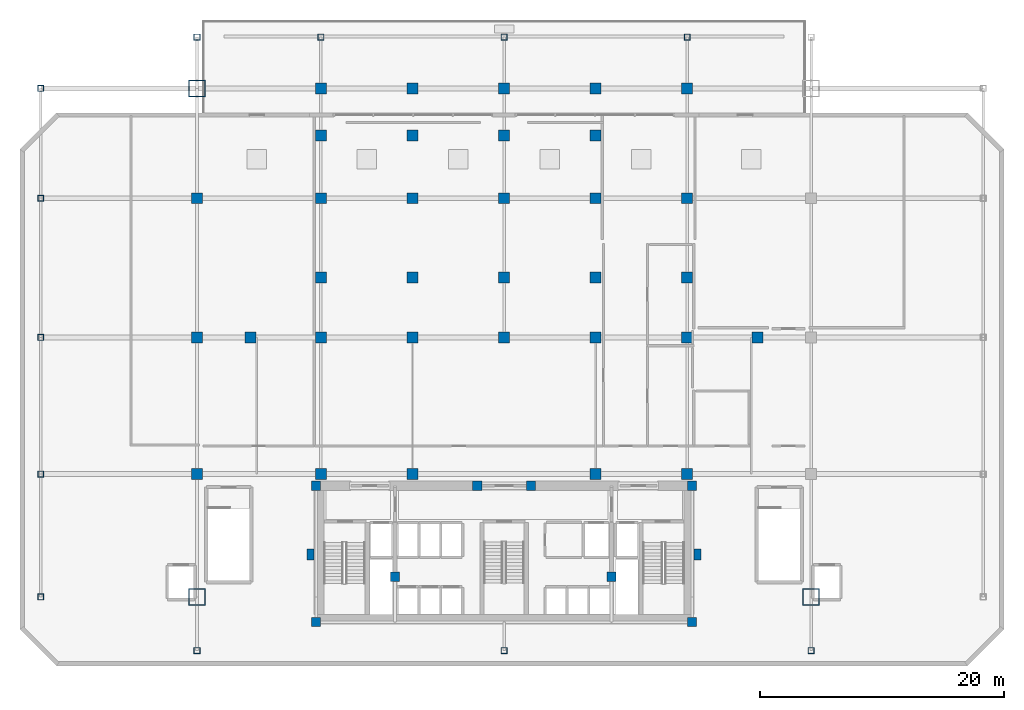
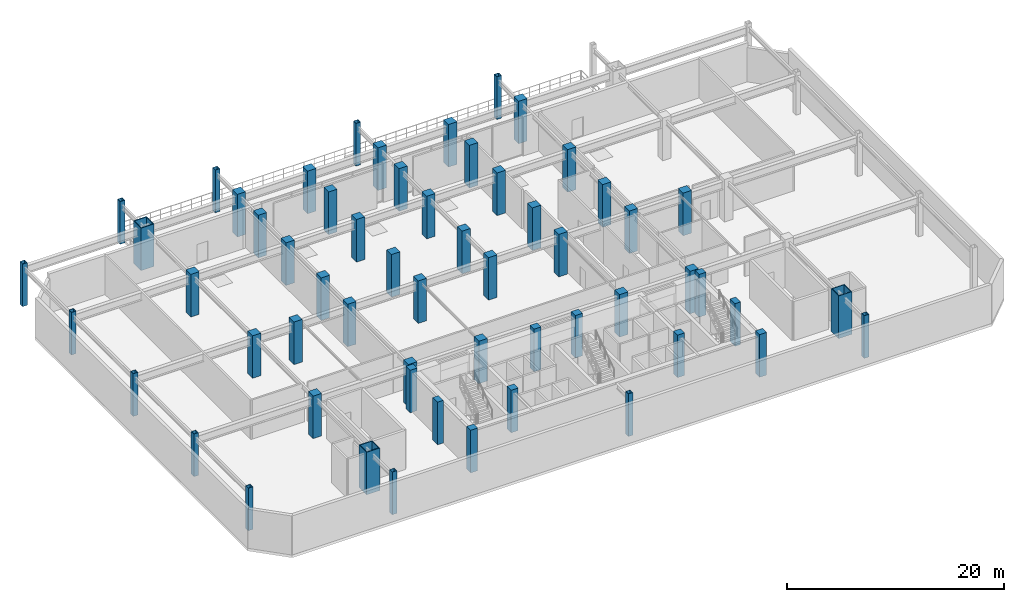
# One storey, part 1 of 15: 58 columns.
"""IFC4 building model written with IfcOpenShell, lengths in metres."""

from ifc_helpers import new_model, si_unit, direction, frame, origin, origin_2d, place, context, subcontext, project, spatial, rectangle, hollow_rectangle, extrude, material, material_profile, profile_set, type_object, element, save


model = new_model("IFC4")

# Units and contexts
model_context = context("Model", 3, precision=1e-05, world=origin(), true_north=direction((0.0, 1.0)))
body_context = subcontext(model_context, "Body", "Model", "MODEL_VIEW")
ifc_project = project(units=[si_unit("LENGTHUNIT", "METRE"), si_unit("AREAUNIT", "SQUARE_METRE"), si_unit("VOLUMEUNIT", "CUBIC_METRE"), si_unit("PLANEANGLEUNIT", "RADIAN"), si_unit("MASSUNIT", "GRAM", prefix="KILO")], contexts=[model_context])

# Site, building, storey
site_placement = place(None, origin())
site = spatial("IfcSite", under=ifc_project, at=site_placement, CompositionType="ELEMENT")
building_placement = place(site_placement, origin())
building = spatial("IfcBuilding", under=site, at=building_placement, Name="Ventersveld Concourse Tower", CompositionType="ELEMENT")
storey_placement = place(building_placement, frame((0.0, 0.0, 19.800048828125)))
storey = spatial("IfcBuildingStorey", under=building, at=storey_placement, Name="L04", CompositionType="ELEMENT", Elevation=19.800048828125)

# Columns
ifc_material_1 = material(Name="Structural steel S355ML", Category="steel")
ifc_material_profile_1 = material_profile(ifc_material_1, hollow_rectangle(XDim=0.5, YDim=0.5, WallThickness=0.031982421875, at=origin_2d()), Name="BOX 500x500x32")
ifc_profile_set_1 = profile_set([ifc_material_profile_1], Name="Structural steel S355ML")
column_type_1 = type_object("IfcColumnType", Name="COL-BOX500", PredefinedType="COLUMN", material=ifc_profile_set_1)
for number, where, z_axis, x_axis, name in (
    (1, (-9.199951171875, 2.35009765625, 0.0), (0.0, 0.0, 1.0), (1.0, 0.0, 0.0), "L04 Podium Perimeter Column 01"),
    (2, (-9.199951171875, 12.39990234375, 0.0), (0.0, 0.0, 1.0), (1.0, 0.0, 0.0), "L04 Podium Perimeter Column 02"),
    (3, (-9.199951171875, 23.60009765625, 0.0), (0.0, 0.0, 1.0), (1.0, 0.0, 0.0), "L04 Podium Perimeter Column 03"),
    (4, (-9.199951171875, 35.0, 0.0), (0.0, 0.0, 1.0), (1.0, 0.0, 0.0), "L04 Podium Perimeter Column 04"),
    (5, (-9.199951171875, 44.0, 0.0), (0.0, 0.0, 1.0), (1.0, 0.0, 0.0), "L04 Podium Perimeter Column 05"),
    (6, (3.60009765625, 48.199951171875, 0.0), (0.0, 0.0, 1.0), (1.0, 0.0, 0.0), "L04 Podium Perimeter Column 11"),
    (7, (13.75, 48.199951171875, 0.0), (0.0, 0.0, 1.0), (1.0, 0.0, 0.0), "L04 Podium Perimeter Column 12"),
    (8, (28.75, 48.199951171875, 0.0), (0.0, 0.0, 1.0), (1.0, 0.0, 0.0), "L04 Podium Perimeter Column 13"),
    (9, (43.75, 48.199951171875, 0.0), (0.0, 0.0, 1.0), (1.0, 0.0, 0.0), "L04 Podium Perimeter Column 14"),
    (10, (3.60009765625, -2.050048828125, 0.0), (0.0, 0.0, 1.0), (1.0, 0.0, 0.0), "L04 Podium Perimeter Column 16"),
    (11, (28.75, -2.050048828125, 0.0), (0.0, 0.0, 1.0), (1.0, 0.0, 0.0), "L04 Podium Perimeter Column 17"),
    (12, (53.89990234375, -2.050048828125, 0.0), (0.0, 0.0, 1.0), (1.0, 0.0, 0.0), "L04 Podium Perimeter Column 18"),
):
    element("IfcColumn", number, at=place(storey_placement, frame(where, z_axis=z_axis, x_axis=x_axis)), inside=storey, type_object=column_type_1, Name=name, PredefinedType="COLUMN", context=body_context, shape_type="SweptSolid", body=[
        extrude(hollow_rectangle(XDim=0.5, YDim=0.5, WallThickness=0.031982421875, at=origin_2d()), origin(), (0.0, 0.0, 1.0), 4.800048828125),
    ])
ifc_material_2 = material(Name="Concrete C50/60", Category="concrete")
ifc_material_profile_2 = material_profile(ifc_material_2, rectangle(XDim=0.75, YDim=0.75, at=origin_2d()), Name="RC 750x750")
ifc_profile_set_2 = profile_set([ifc_material_profile_2], Name="Concrete C50/60")
column_type_2 = type_object("IfcColumnType", Name="COL-RC750", PredefinedType="COLUMN", material=ifc_profile_set_2)
for number, where, z_axis, x_axis, name in (
    (13, (13.35009765625, 0.280029296875, 0.0), (0.0, 0.0, 1.0), (1.0, 0.0, 0.0), "L04 Core Spine Column CC-SW"),
    (14, (44.14990234375, 0.280029296875, 0.0), (0.0, 0.0, 1.0), (1.0, 0.0, 0.0), "L04 Core Spine Column CC-SE"),
    (15, (13.35009765625, 11.449951171875, 0.0), (0.0, 0.0, 1.0), (1.0, 0.0, 0.0), "L04 Core Spine Column CC-NW"),
    (16, (44.14990234375, 11.449951171875, 0.0), (0.0, 0.0, 1.0), (1.0, 0.0, 0.0), "L04 Core Spine Column CC-NE"),
    (17, (19.820068359375, 4.0, 0.0), (0.0, 0.0, 1.0), (1.0, 0.0, 0.0), "L04 Core Spine Column CM-1"),
    (18, (37.550048828125, 4.0, 0.0), (0.0, 0.0, 1.0), (1.0, 0.0, 0.0), "L04 Core Spine Column CM-2"),
    (19, (26.550048828125, 11.449951171875, 0.0), (0.0, 0.0, 1.0), (1.0, 0.0, 0.0), "L04 Core Spine Column CM-3"),
    (20, (30.949951171875, 11.449951171875, 0.0), (0.0, 0.0, 1.0), (1.0, 0.0, 0.0), "L04 Core Spine Column CM-4"),
):
    element("IfcColumn", number, at=place(storey_placement, frame(where, z_axis=z_axis, x_axis=x_axis)), inside=storey, type_object=column_type_2, Name=name, PredefinedType="COLUMN", context=body_context, shape_type="SweptSolid", body=[
        extrude(rectangle(XDim=0.75, YDim=0.75, at=origin_2d()), origin(), (0.0, 0.0, 1.0), 4.800048828125),
    ])
ifc_material_3 = material(Name="Concrete C60/75", Category="concrete")
ifc_material_profile_3 = material_profile(ifc_material_3, rectangle(XDim=0.89990234375, YDim=0.89990234375, at=origin_2d()), Name="RC 900x900")
ifc_profile_set_3 = profile_set([ifc_material_profile_3], Name="Concrete C60/75")
column_type_3 = type_object("IfcColumnType", Name="COL-RC900", PredefinedType="COLUMN", material=ifc_profile_set_3)
for number, where, z_axis, x_axis, name in (
    (21, (3.60009765625, 12.39990234375, 0.0), (0.0, 0.0, 1.0), (1.0, 0.0, 0.0), "L04 Station Grid Column G1B-C"),
    (22, (3.60009765625, 23.60009765625, 0.0), (0.0, 0.0, 1.0), (1.0, 0.0, 0.0), "L04 Station Grid Column G1B-D"),
    (23, (3.60009765625, 35.0, 0.0), (0.0, 0.0, 1.0), (1.0, 0.0, 0.0), "L04 Station Grid Column G1B-E"),
    (24, (13.75, 12.39990234375, 0.0), (0.0, 0.0, 1.0), (1.0, 0.0, 0.0), "L04 Station Grid Column G3-C"),
    (25, (13.75, 23.60009765625, 0.0), (0.0, 0.0, 1.0), (1.0, 0.0, 0.0), "L04 Station Grid Column G3-D"),
    (26, (13.75, 35.0, 0.0), (0.0, 0.0, 1.0), (1.0, 0.0, 0.0), "L04 Station Grid Column G3-E"),
    (27, (13.75, 44.0, 0.0), (0.0, 0.0, 1.0), (1.0, 0.0, 0.0), "L04 Station Grid Column G3-F"),
    (28, (28.75, 23.60009765625, 0.0), (0.0, 0.0, 1.0), (1.0, 0.0, 0.0), "L04 Station Grid Column G5-D"),
    (29, (28.75, 35.0, 0.0), (0.0, 0.0, 1.0), (1.0, 0.0, 0.0), "L04 Station Grid Column G5-E"),
    (30, (28.75, 44.0, 0.0), (0.0, 0.0, 1.0), (1.0, 0.0, 0.0), "L04 Station Grid Column G5-F"),
    (31, (43.75, 12.39990234375, 0.0), (0.0, 0.0, 1.0), (1.0, 0.0, 0.0), "L04 Station Grid Column G7-C"),
    (32, (43.75, 23.60009765625, 0.0), (0.0, 0.0, 1.0), (1.0, 0.0, 0.0), "L04 Station Grid Column G7-D"),
    (33, (43.75, 35.0, 0.0), (0.0, 0.0, 1.0), (1.0, 0.0, 0.0), "L04 Station Grid Column G7-E"),
    (34, (43.75, 44.0, 0.0), (0.0, 0.0, 1.0), (1.0, 0.0, 0.0), "L04 Station Grid Column G7-F"),
    (35, (21.25, 12.39990234375, 0.0), (0.0, 0.0, 1.0), (1.0, 0.0, 0.0), "L04 Station Tower-Line Column G4C"),
    (36, (36.25, 12.39990234375, 0.0), (0.0, 0.0, 1.0), (1.0, 0.0, 0.0), "L04 Station Tower-Line Column G6C"),
    (37, (8.0, 23.60009765625, 0.0), (0.0, 0.0, 1.0), (1.0, 0.0, 0.0), "L04 Station Tower-Line Column G2D"),
    (38, (21.25, 23.60009765625, 0.0), (0.0, 0.0, 1.0), (1.0, 0.0, 0.0), "L04 Station Tower-Line Column G4D"),
    (39, (36.25, 23.60009765625, 0.0), (0.0, 0.0, 1.0), (1.0, 0.0, 0.0), "L04 Station Tower-Line Column G6D"),
    (40, (49.5, 23.60009765625, 0.0), (0.0, 0.0, 1.0), (1.0, 0.0, 0.0), "L04 Station Tower-Line Column G8AD"),
    (41, (13.75, 28.5, 0.0), (0.0, 0.0, 1.0), (1.0, 0.0, 0.0), "L04 Station Tower-Line Column G3DN"),
    (42, (21.25, 28.5, 0.0), (0.0, 0.0, 1.0), (1.0, 0.0, 0.0), "L04 Station Tower-Line Column G4DN"),
    (43, (28.75, 28.5, 0.0), (0.0, 0.0, 1.0), (1.0, 0.0, 0.0), "L04 Station Tower-Line Column G5DN"),
    (44, (36.25, 28.5, 0.0), (0.0, 0.0, 1.0), (1.0, 0.0, 0.0), "L04 Station Tower-Line Column G6DN"),
    (45, (43.75, 28.5, 0.0), (0.0, 0.0, 1.0), (1.0, 0.0, 0.0), "L04 Station Tower-Line Column G7DN"),
    (46, (21.25, 35.0, 0.0), (0.0, 0.0, 1.0), (1.0, 0.0, 0.0), "L04 Station Tower-Line Column G4E"),
    (47, (36.25, 35.0, 0.0), (0.0, 0.0, 1.0), (1.0, 0.0, 0.0), "L04 Station Tower-Line Column G6E"),
    (48, (13.75, 40.1201171875, 0.0), (0.0, 0.0, 1.0), (1.0, 0.0, 0.0), "L04 Station Tower-Line Column G3EM"),
    (49, (21.25, 40.1201171875, 0.0), (0.0, 0.0, 1.0), (1.0, 0.0, 0.0), "L04 Station Tower-Line Column G4EM"),
    (50, (28.75, 40.1201171875, 0.0), (0.0, 0.0, 1.0), (1.0, 0.0, 0.0), "L04 Station Tower-Line Column G5EM"),
    (51, (36.25, 40.1201171875, 0.0), (0.0, 0.0, 1.0), (1.0, 0.0, 0.0), "L04 Station Tower-Line Column G6EM"),
    (52, (21.25, 44.0, 0.0), (0.0, 0.0, 1.0), (1.0, 0.0, 0.0), "L04 Station Tower-Line Column G4F"),
    (53, (36.25, 44.0, 0.0), (0.0, 0.0, 1.0), (1.0, 0.0, 0.0), "L04 Station Tower-Line Column G6F"),
):
    element("IfcColumn", number, at=place(storey_placement, frame(where, z_axis=z_axis, x_axis=x_axis)), inside=storey, type_object=column_type_3, Name=name, PredefinedType="COLUMN", context=body_context, shape_type="SweptSolid", body=[
        extrude(rectangle(XDim=0.89990234375, YDim=0.89990234375, at=origin_2d()), origin(), (0.0, 0.0, 1.0), 4.800048828125),
    ])
ifc_material_4 = material(Name="Structural steel S460ML", Category="steel")
ifc_material_profile_4 = material_profile(ifc_material_4, hollow_rectangle(XDim=1.39990234375, YDim=1.39990234375, WallThickness=0.080078125, at=origin_2d()), Name="BOX 1400x1400x80")
ifc_profile_set_4 = profile_set([ifc_material_profile_4], Name="Structural steel S460ML")
column_type_4 = type_object("IfcColumnType", Name="MC-1400", PredefinedType="USERDEFINED", material=ifc_profile_set_4)
for number, where, z_axis, x_axis, name in (
    (54, (3.60009765625, 2.35009765625, 0.0), (0.0, 0.0, 1.0), (1.0, 0.0, 0.0), "L04 Corner Mega-Column MC-SW"),
    (55, (53.89990234375, 2.35009765625, 0.0), (0.0, 0.0, 1.0), (1.0, 0.0, 0.0), "L04 Corner Mega-Column MC-SE"),
    (56, (3.60009765625, 44.0, 0.0), (0.0, 0.0, 1.0), (1.0, 0.0, 0.0), "L04 Corner Mega-Column MC-NW"),
):
    element("IfcColumn", number, at=place(storey_placement, frame(where, z_axis=z_axis, x_axis=x_axis)), inside=storey, type_object=column_type_4, Name=name, ObjectType="MEGA_COLUMN", PredefinedType="USERDEFINED", context=body_context, shape_type="SweptSolid", body=[
        extrude(hollow_rectangle(XDim=1.39990234375, YDim=1.39990234375, WallThickness=0.080078125, at=origin_2d()), origin(), (0.0, 0.0, 1.0), 4.800048828125),
    ])
ifc_material_profile_5 = material_profile(ifc_material_3, rectangle(XDim=0.60009765625, YDim=0.89990234375, at=origin_2d()), Name="RC 600x900")
ifc_profile_set_5 = profile_set([ifc_material_profile_5], Name="Concrete C60/75")
column_type_5 = type_object("IfcColumnType", Name="PIL-RC600x900", PredefinedType="PILASTER", material=ifc_profile_set_5)
for number, where, z_axis, x_axis, name in (
    (57, (12.89990234375, 5.800048828125, 0.0), (0.0, 0.0, 1.0), (1.0, 0.0, 0.0), "L04 Core Engaged Pilaster PIL-W"),
    (58, (44.60009765625, 5.800048828125, 0.0), (0.0, 0.0, 1.0), (1.0, 0.0, 0.0), "L04 Core Engaged Pilaster PIL-E"),
):
    element("IfcColumn", number, at=place(storey_placement, frame(where, z_axis=z_axis, x_axis=x_axis)), inside=storey, type_object=column_type_5, Name=name, PredefinedType="PILASTER", context=body_context, shape_type="SweptSolid", body=[
        extrude(rectangle(XDim=0.60009765625, YDim=0.89990234375, at=origin_2d()), origin(), (0.0, 0.0, 1.0), 4.800048828125),
    ])

save(model, "model.ifc")
